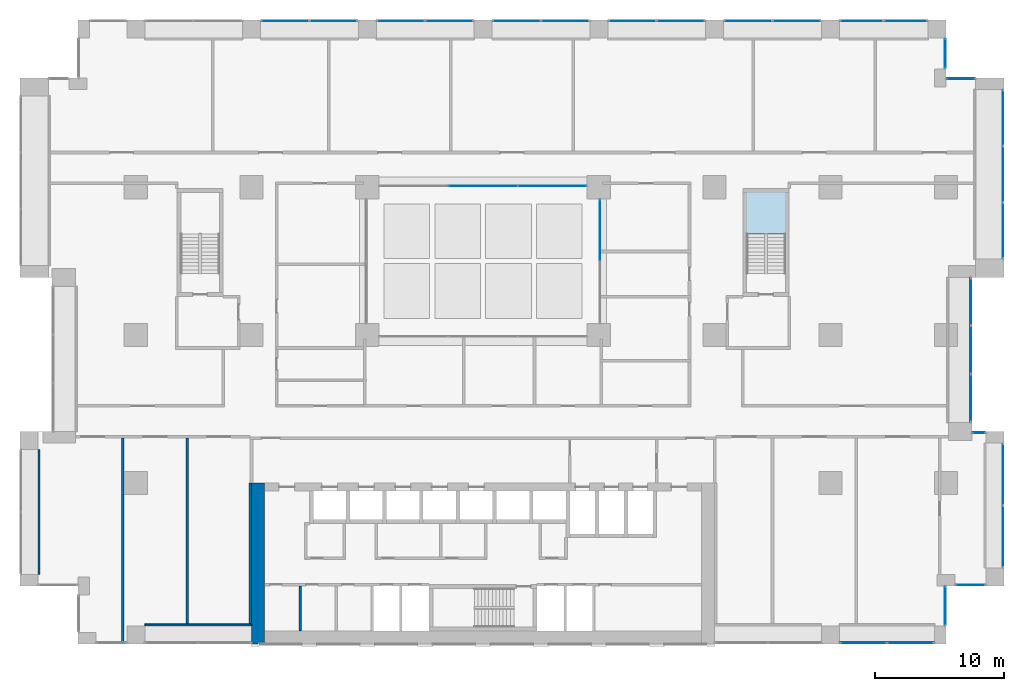
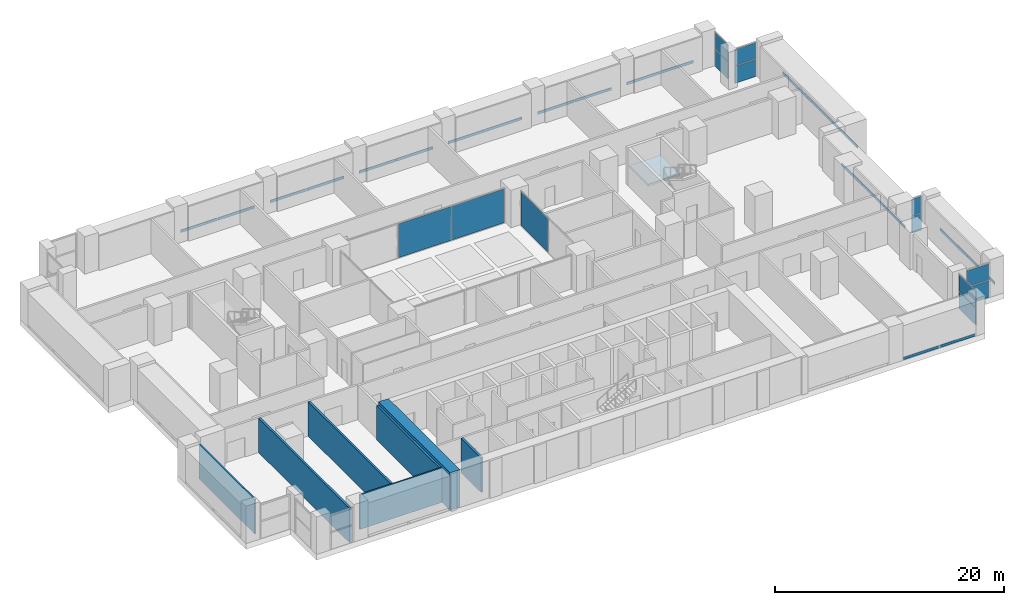
# One storey, part 19 of 24: 35 plates, 7 walls, 1 slab, 18 elements without a shape of their own.
"""IFC4 building model written with IfcOpenShell, lengths in metres."""

import ifcopenshell
import ifcopenshell.guid

model = None  # the IFC model being written
_history = None  # IfcOwnerHistory: only IFC2X3 demands one
_inside = {}  # id of a spatial element -> (the spatial element, [elements in it])
_under = {}  # id of a project, library or spatial element -> (it, [spatial elements below it])
_declared = {}  # id of a project -> (the project, [libraries it declares])
_typed = {}  # id of a type object -> (the type object, [elements of that type])
_made_of = {}  # id of a material, layer set ... -> (it, [elements and type objects made of it])


def new_model(schema):
    """Start an empty IFC model of exactly this schema.

    Asked for "IFC4X3", IfcOpenShell would pick the latest addendum, in which some entities
    have other attributes; the version numbers below select the first issue.
    IFC2X3 requires an IfcOwnerHistory on every rooted entity: one is made here for all.
    """
    global model, _history
    if schema == "IFC4X3":
        model = ifcopenshell.file(schema_version=(4, 3, 0, 0))
    else:
        model = ifcopenshell.file(schema=schema)
    _inside.clear()
    _under.clear()
    _declared.clear()
    _typed.clear()
    _made_of.clear()
    _history = None
    if model.schema == "IFC2X3":
        org = make("IfcOrganization", Name="unknown")
        user = make(
            "IfcPersonAndOrganization",
            ThePerson=make("IfcPerson", FamilyName="unknown"),
            TheOrganization=org,
        )
        app = make(
            "IfcApplication",
            ApplicationDeveloper=org,
            Version="unknown",
            ApplicationFullName="unknown",
            ApplicationIdentifier="unknown",
        )
        _history = make(
            "IfcOwnerHistory",
            OwningUser=user,
            OwningApplication=app,
            ChangeAction="ADDED",
            CreationDate=0,
        )
    return model


def make(cls, **values):
    """One entity of the class cls with the attributes given. An attribute that is None is left unset."""
    return model.create_entity(
        cls, **{name: value for name, value in values.items() if value is not None}
    )


def rooted(cls, **values):
    """An entity with a GlobalId (a new one), such as an element, a storey or a relation."""
    return make(cls, GlobalId=ifcopenshell.guid.new(), OwnerHistory=_history, **values)


def si_unit(unit_type, name, prefix=None):
    """IfcSIUnit, for example si_unit("LENGTHUNIT", "METRE", prefix="MILLI")."""
    return make("IfcSIUnit", UnitType=unit_type, Prefix=prefix, Name=name)


def assignment(units):
    """IfcUnitAssignment: the units of a project."""
    return None if units is None else make("IfcUnitAssignment", Units=units)


def point(xyz):
    """IfcCartesianPoint."""
    return None if xyz is None else make("IfcCartesianPoint", Coordinates=xyz)


def direction(xyz):
    """IfcDirection."""
    return None if xyz is None else make("IfcDirection", DirectionRatios=xyz)


def frame(location, z_axis=None, x_axis=None):
    """IfcAxis2Placement3D, a coordinate frame: its origin and axes. An axis left out is left unset."""
    return make(
        "IfcAxis2Placement3D",
        Location=point(location),
        Axis=direction(z_axis),
        RefDirection=direction(x_axis),
    )


def frame_2d(location, x_axis=None):
    """IfcAxis2Placement2D, a coordinate frame in the plane: its origin and x axis."""
    return make(
        "IfcAxis2Placement2D", Location=point(location), RefDirection=direction(x_axis)
    )


def origin():
    """The frame at (0, 0, 0) with its axes left unset."""
    return frame((0.0, 0.0, 0.0))


def origin_2d():
    """The frame at (0, 0) in the plane with its x axis left unset."""
    return frame_2d((0.0, 0.0))


def place(relative_to, where):
    """IfcLocalPlacement: puts the frame where relative to a parent placement (None: the world)."""
    return make(
        "IfcLocalPlacement", PlacementRelTo=relative_to, RelativePlacement=where
    )


def context(
    kind, dimensions, precision=None, world=None, true_north=None, identifier=None
):
    """IfcGeometricRepresentationContext, for example the 3D "Model" context."""
    return make(
        "IfcGeometricRepresentationContext",
        ContextIdentifier=identifier,
        ContextType=kind,
        CoordinateSpaceDimension=dimensions,
        Precision=precision,
        WorldCoordinateSystem=world,
        TrueNorth=true_north,
    )


def subcontext(parent, identifier, kind, view, scale=None):
    """IfcGeometricRepresentationSubContext, for example "Body" below "Model"."""
    return make(
        "IfcGeometricRepresentationSubContext",
        ContextIdentifier=identifier,
        ContextType=kind,
        ParentContext=parent,
        TargetScale=scale,
        TargetView=view,
    )


def project(units=None, contexts=None):
    """IfcProject with its units and contexts."""
    return rooted(
        "IfcProject",
        Name="project",
        RepresentationContexts=contexts,
        UnitsInContext=assignment(units),
    )


def spatial(cls, under=None, at=None, **own):
    """A site, building, storey or space (cls), placed at a placement, below another one or the project."""
    s = rooted(cls, ObjectPlacement=at, **own)
    if under is not None:
        _under.setdefault(under.id(), (under, []))[1].append(s)
    return s


def polyline(points):
    """IfcPolyline through the points."""
    return make("IfcPolyline", Points=[point(p) for p in points])


def profile(cls, at=None, kind="AREA", **sizes):
    """A parametric profile (cls). Its sizes go by their IFC names, for example OverallWidth=200.0."""
    return make(cls, ProfileType=kind, Position=at, **sizes)


def rectangle(**sizes):
    """IfcRectangleProfileDef."""
    return profile("IfcRectangleProfileDef", **sizes)


def outline(outer, holes=None, kind="AREA"):
    """IfcArbitraryClosedProfileDef: a profile drawn as a closed curve; with holes, ...WithVoids."""
    if holes is None:
        return make("IfcArbitraryClosedProfileDef", ProfileType=kind, OuterCurve=outer)
    return make(
        "IfcArbitraryProfileDefWithVoids",
        ProfileType=kind,
        OuterCurve=outer,
        InnerCurves=holes,
    )


def extrude(swept, where, along, depth):
    """IfcExtrudedAreaSolid: the profile swept, set in the frame where, extruded along a direction by depth."""
    return make(
        "IfcExtrudedAreaSolid",
        SweptArea=swept,
        Position=where,
        ExtrudedDirection=direction(along),
        Depth=depth,
    )


def shape(context_of_items, identifier, shape_type, items):
    """IfcShapeRepresentation: the items that make up one representation, for example the "Body"."""
    return make(
        "IfcShapeRepresentation",
        ContextOfItems=context_of_items,
        RepresentationIdentifier=identifier,
        RepresentationType=shape_type,
        Items=items,
    )


def material(Name=None, Category=None):
    """IfcMaterial."""
    return make("IfcMaterial", Name=Name, Category=Category)


def layer(
    of_material, thickness, ventilated=None, Name=None, Category=None, Priority=None
):
    """IfcMaterialLayer: one layer of a wall or slab, of a material (None: an air gap)."""
    return make(
        "IfcMaterialLayer",
        Material=of_material,
        LayerThickness=thickness,
        IsVentilated=ventilated,
        Name=Name,
        Category=Category,
        Priority=Priority,
    )


def layer_set(layers, Name=None):
    """IfcMaterialLayerSet."""
    return make("IfcMaterialLayerSet", MaterialLayers=layers, LayerSetName=Name)


def made_of(thing, what):
    """Note that an element or type object is made of a material, layer set ...; save() writes the relation."""
    if what is not None:
        _made_of.setdefault(what.id(), (what, []))[1].append(thing)
    return thing


def type_object(cls, material=None, **own):
    """A type object (cls), such as IfcWallType, which elements share."""
    return made_of(rooted(cls, **own), material)


def element(
    cls,
    number,
    at=None,
    inside=None,
    cuts=None,
    type_object=None,
    material=None,
    context=None,
    identifier="Body",
    shape_type=None,
    held_by="IfcProductDefinitionShape",
    body=None,
    shapes=None,
    **own,
):
    """One element of the class cls, such as IfcWall. Its Tag is "e" and its number.

    at: its placement. inside: the storey or other place that contains it. cuts: it is an
    opening in that element (IfcRelVoidsElement). A single representation is given by context,
    identifier, shape_type and body (its items); several are given by shapes. held_by: the class
    of the entity that holds the representations. save() writes the other relations.
    """
    e = rooted(cls, Tag="e%d" % number, ObjectPlacement=at, **own)
    if body is not None:
        shapes = [shape(context, identifier, shape_type, body)]
    if shapes is not None:
        e.Representation = make(held_by, Representations=shapes)
    if inside is not None:
        _inside.setdefault(inside.id(), (inside, []))[1].append(e)
    if cuts is not None:
        rooted(
            "IfcRelVoidsElement", RelatingBuildingElement=cuts, RelatedOpeningElement=e
        )
    if type_object is not None:
        _typed.setdefault(type_object.id(), (type_object, []))[1].append(e)
    return made_of(e, material)


def aggregate(whole, parts):
    """IfcRelAggregates: a whole, such as a stair, and the parts it consists of."""
    return rooted("IfcRelAggregates", RelatingObject=whole, RelatedObjects=parts)


def save(model, path):
    """Write the relations noted so far, then the file.

    IfcRelAggregates (storeys below a building ...), IfcRelContainedInSpatialStructure (elements
    in a storey), IfcRelDefinesByType, IfcRelAssociatesMaterial and IfcRelDeclares: one each for
    every whole, place, type object, material and project.
    """
    for whole, parts in _under.values():
        aggregate(whole, parts)
    for where, things in _inside.values():
        rooted(
            "IfcRelContainedInSpatialStructure",
            RelatedElements=things,
            RelatingStructure=where,
        )
    for kind, things in _typed.values():
        rooted("IfcRelDefinesByType", RelatedObjects=things, RelatingType=kind)
    for what, things in _made_of.values():
        rooted("IfcRelAssociatesMaterial", RelatedObjects=things, RelatingMaterial=what)
    for by, libraries in _declared.values():
        rooted("IfcRelDeclares", RelatingContext=by, RelatedDefinitions=libraries)
    model.write(path)


model = new_model("IFC4")

# Units and contexts
model_context = context("Model", 3, precision=1e-05, world=origin(), true_north=direction((0.0, 1.0)))
body_context = subcontext(model_context, "Body", "Model", "MODEL_VIEW")
ifc_project = project(units=[si_unit("LENGTHUNIT", "METRE"), si_unit("AREAUNIT", "SQUARE_METRE"), si_unit("VOLUMEUNIT", "CUBIC_METRE"), si_unit("PLANEANGLEUNIT", "RADIAN"), si_unit("MASSUNIT", "GRAM", prefix="KILO")], contexts=[model_context])

# Site, building, storey
site_placement = place(None, origin())
site = spatial("IfcSite", under=ifc_project, at=site_placement, CompositionType="ELEMENT")
building_placement = place(site_placement, origin())
building = spatial("IfcBuilding", under=site, at=building_placement, Name="Brigalow Station Residences", CompositionType="ELEMENT")
storey_placement = place(building_placement, frame((0.0, 0.0, 15.5)))
storey = spatial("IfcBuildingStorey", under=building, at=storey_placement, Name="L03", CompositionType="ELEMENT", Elevation=15.5)

# Curtain wall, plate
ifc_material_1 = material(Name="Aluminium", Category="aluminium")
ifc_layer_1 = layer(ifc_material_1, 0.14990234375)
ifc_layer_set_1 = layer_set([ifc_layer_1], Name="ATRIUM FIRE-RATED GLAZING CURTAIN WALL")
curtain_wall_type_1 = type_object("IfcCurtainWallType", Name="ATRIUM FIRE-RATED GLAZING CURTAIN WALL", PredefinedType="NOTDEFINED", material=ifc_layer_set_1)
curtain_wall_1_placement = place(storey_placement, origin())
curtain_wall_1 = element("IfcCurtainWall", 1, at=curtain_wall_1_placement, inside=storey, type_object=curtain_wall_type_1, Name="L03/cw/atrium-E", PredefinedType="NOTDEFINED")
ifc_material_2 = material(Name="Fire-resisting laminated glazing, FRL -/60/-", Category="glass")
ifc_layer_2 = layer(ifc_material_2, 0.031982421875)
ifc_layer_set_2 = layer_set([ifc_layer_2], Name="ATRIUM FIRE-RATED GLAZING PANEL 32")
plate_type_1 = type_object("IfcPlateType", Name="ATRIUM FIRE-RATED GLAZING PANEL 32", PredefinedType="CURTAIN_PANEL", material=ifc_layer_set_2)
plate_1_placement = place(storey_placement, frame((45.10009765625, 32.159912109375, 0.0), z_axis=(0.0, 0.0, 1.0), x_axis=(0.0, 1.0, 0.0)))
plate_1 = element("IfcPlate", 2, at=plate_1_placement, type_object=plate_type_1, Name="L03/cw/atrium-E/P01-00", PredefinedType="CURTAIN_PANEL", context=body_context, shape_type="SweptSolid", body=[
    extrude(rectangle(XDim=4.760009765625, YDim=0.031982421875, at=origin_2d()), origin(), (0.0, 0.0, 1.0), 3.6201171875),
])
aggregate(curtain_wall_1, [plate_1])

# Curtain wall, plates
curtain_wall_2_placement = place(storey_placement, origin())
curtain_wall_2 = element("IfcCurtainWall", 3, at=curtain_wall_2_placement, inside=storey, type_object=curtain_wall_type_1, Name="L03/cw/atrium-N", PredefinedType="NOTDEFINED")
plate_2_placement = place(storey_placement, frame((41.385009765625, 35.60009765625, 0.0), z_axis=(0.0, 0.0, 1.0), x_axis=(-1.0, 0.0, 0.0)))
plate_2 = element("IfcPlate", 4, at=plate_2_placement, type_object=plate_type_1, Name="L03/cw/atrium-N/P00-00", PredefinedType="CURTAIN_PANEL", context=body_context, shape_type="SweptSolid", body=[
    extrude(rectangle(XDim=5.31005859375, YDim=0.031982421875, at=origin_2d()), origin(), (0.0, 0.0, 1.0), 3.6201171875),
])
plate_3_placement = place(storey_placement, frame((36.0, 35.60009765625, 0.0), z_axis=(0.0, 0.0, 1.0), x_axis=(-1.0, 0.0, 0.0)))
plate_3 = element("IfcPlate", 5, at=plate_3_placement, type_object=plate_type_1, Name="L03/cw/atrium-N/P01-00", PredefinedType="CURTAIN_PANEL", context=body_context, shape_type="SweptSolid", body=[
    extrude(rectangle(XDim=5.340087890625, YDim=0.031982421875, at=origin_2d()), origin(), (0.0, 0.0, 1.0), 3.6201171875),
])
aggregate(curtain_wall_2, [plate_2, plate_3])

ifc_material_3 = material(Name="Aluminium", Category="aluminium")
ifc_layer_3 = layer(ifc_material_3, 0.199951171875)
ifc_layer_set_3 = layer_set([ifc_layer_3], Name="REFUGE FLOOR LOUVRE CURTAIN WALL")
curtain_wall_type_2 = type_object("IfcCurtainWallType", Name="REFUGE FLOOR LOUVRE CURTAIN WALL", PredefinedType="NOTDEFINED", material=ifc_layer_set_3)
curtain_wall_3_placement = place(storey_placement, origin())
curtain_wall_3 = element("IfcCurtainWall", 6, at=curtain_wall_3_placement, inside=storey, type_object=curtain_wall_type_2, Name="L03/cw/louvre-W-L03-9-2", PredefinedType="NOTDEFINED")
ifc_material_4 = material(Name="Aluminium louvre blade", Category="aluminium")
ifc_layer_4 = layer(ifc_material_4, 0.070068359375)
ifc_layer_set_4 = layer_set([ifc_layer_4], Name="REFUGE FLOOR LOUVRE PANEL 70")
plate_type_2 = type_object("IfcPlateType", Name="REFUGE FLOOR LOUVRE PANEL 70", PredefinedType="CURTAIN_PANEL", material=ifc_layer_set_4)
plate_4_placement = place(storey_placement, frame((71.925048828125, 2.949951171875, 0.0), z_axis=(0.0, 0.0, 1.0), x_axis=(0.0, 1.0, 0.0)))
plate_4 = element("IfcPlate", 7, at=plate_4_placement, type_object=plate_type_2, Name="L03/cw/louvre-W-L03-9-2/P00-00", PredefinedType="CURTAIN_PANEL", context=body_context, shape_type="SweptSolid", body=[
    extrude(rectangle(XDim=2.93994140625, YDim=0.070068359375, at=origin_2d()), origin(), (0.0, 0.0, 1.0), 1.800048828125),
])
plate_5_placement = place(storey_placement, frame((71.925048828125, 2.949951171875, 1.8798828125), z_axis=(0.0, 0.0, 1.0), x_axis=(0.0, 1.0, 0.0)))
plate_5 = element("IfcPlate", 8, at=plate_5_placement, type_object=plate_type_2, Name="L03/cw/louvre-W-L03-9-2/P00-01", PredefinedType="CURTAIN_PANEL", context=body_context, shape_type="SweptSolid", body=[
    extrude(rectangle(XDim=2.93994140625, YDim=0.070068359375, at=origin_2d()), origin(), (0.0, 0.0, 1.0), 1.719970703125),
])
aggregate(curtain_wall_3, [plate_4, plate_5])

curtain_wall_4_placement = place(storey_placement, origin())
curtain_wall_4 = element("IfcCurtainWall", 9, at=curtain_wall_4_placement, inside=storey, type_object=curtain_wall_type_2, Name="L03/cw/louvre-W-L03-10-3", PredefinedType="NOTDEFINED")
plate_6_placement = place(storey_placement, frame((73.89990234375, 4.574951171875, 0.0), z_axis=(0.0, 0.0, 1.0), x_axis=(1.0, 0.0, 0.0)))
plate_6 = element("IfcPlate", 10, at=plate_6_placement, type_object=plate_type_2, Name="L03/cw/louvre-W-L03-10-3/P00-00", PredefinedType="CURTAIN_PANEL", context=body_context, shape_type="SweptSolid", body=[
    extrude(rectangle(XDim=2.239990234375, YDim=0.070068359375, at=origin_2d()), origin(), (0.0, 0.0, 1.0), 1.800048828125),
])
plate_7_placement = place(storey_placement, frame((73.89990234375, 4.574951171875, 1.8798828125), z_axis=(0.0, 0.0, 1.0), x_axis=(1.0, 0.0, 0.0)))
plate_7 = element("IfcPlate", 11, at=plate_7_placement, type_object=plate_type_2, Name="L03/cw/louvre-W-L03-10-3/P00-01", PredefinedType="CURTAIN_PANEL", context=body_context, shape_type="SweptSolid", body=[
    extrude(rectangle(XDim=2.239990234375, YDim=0.070068359375, at=origin_2d()), origin(), (0.0, 0.0, 1.0), 1.719970703125),
])
aggregate(curtain_wall_4, [plate_6, plate_7])

curtain_wall_5_placement = place(storey_placement, origin())
curtain_wall_5 = element("IfcCurtainWall", 12, at=curtain_wall_5_placement, inside=storey, type_object=curtain_wall_type_2, Name="L03/cw/louvre-W-L03-14-4", PredefinedType="NOTDEFINED")
plate_8_placement = place(storey_placement, frame((74.550048828125, 16.425048828125, 0.0), z_axis=(0.0, 0.0, 1.0), x_axis=(-1.0, 0.0, 0.0)))
plate_8 = element("IfcPlate", 13, at=plate_8_placement, type_object=plate_type_2, Name="L03/cw/louvre-W-L03-14-4/P00-00", PredefinedType="CURTAIN_PANEL", context=body_context, shape_type="SweptSolid", body=[
    extrude(rectangle(XDim=0.93994140625, YDim=0.070068359375, at=origin_2d()), origin(), (0.0, 0.0, 1.0), 1.800048828125),
])
plate_9_placement = place(storey_placement, frame((74.550048828125, 16.425048828125, 1.8798828125), z_axis=(0.0, 0.0, 1.0), x_axis=(-1.0, 0.0, 0.0)))
plate_9 = element("IfcPlate", 14, at=plate_9_placement, type_object=plate_type_2, Name="L03/cw/louvre-W-L03-14-4/P00-01", PredefinedType="CURTAIN_PANEL", context=body_context, shape_type="SweptSolid", body=[
    extrude(rectangle(XDim=0.93994140625, YDim=0.070068359375, at=origin_2d()), origin(), (0.0, 0.0, 1.0), 1.719970703125),
])
aggregate(curtain_wall_5, [plate_8, plate_9])

curtain_wall_6_placement = place(storey_placement, origin())
curtain_wall_6 = element("IfcCurtainWall", 15, at=curtain_wall_6_placement, inside=storey, type_object=curtain_wall_type_2, Name="L03/cw/louvre-W-L03-23-5", PredefinedType="NOTDEFINED")
plate_10_placement = place(storey_placement, frame((73.14990234375, 43.925048828125, 0.0), z_axis=(0.0, 0.0, 1.0), x_axis=(-1.0, 0.0, 0.0)))
plate_10 = element("IfcPlate", 16, at=plate_10_placement, type_object=plate_type_2, Name="L03/cw/louvre-W-L03-23-5/P00-00", PredefinedType="CURTAIN_PANEL", context=body_context, shape_type="SweptSolid", body=[
    extrude(rectangle(XDim=2.139892578125, YDim=0.070068359375, at=origin_2d()), origin(), (0.0, 0.0, 1.0), 1.800048828125),
])
plate_11_placement = place(storey_placement, frame((73.14990234375, 43.925048828125, 1.8798828125), z_axis=(0.0, 0.0, 1.0), x_axis=(-1.0, 0.0, 0.0)))
plate_11 = element("IfcPlate", 17, at=plate_11_placement, type_object=plate_type_2, Name="L03/cw/louvre-W-L03-23-5/P00-01", PredefinedType="CURTAIN_PANEL", context=body_context, shape_type="SweptSolid", body=[
    extrude(rectangle(XDim=2.139892578125, YDim=0.070068359375, at=origin_2d()), origin(), (0.0, 0.0, 1.0), 1.719970703125),
])
aggregate(curtain_wall_6, [plate_10, plate_11])

curtain_wall_7_placement = place(storey_placement, origin())
curtain_wall_7 = element("IfcCurtainWall", 18, at=curtain_wall_7_placement, inside=storey, type_object=curtain_wall_type_2, Name="L03/cw/louvre-W-L03-24-6", PredefinedType="NOTDEFINED")
plate_12_placement = place(storey_placement, frame((71.925048828125, 45.89990234375, 0.0), z_axis=(0.0, 0.0, 1.0), x_axis=(0.0, 1.0, 0.0)))
plate_12 = element("IfcPlate", 19, at=plate_12_placement, type_object=plate_type_2, Name="L03/cw/louvre-W-L03-24-6/P00-00", PredefinedType="CURTAIN_PANEL", context=body_context, shape_type="SweptSolid", body=[
    extrude(rectangle(XDim=2.239990234375, YDim=0.070068359375, at=origin_2d()), origin(), (0.0, 0.0, 1.0), 1.800048828125),
])
plate_13_placement = place(storey_placement, frame((71.925048828125, 45.89990234375, 1.8798828125), z_axis=(0.0, 0.0, 1.0), x_axis=(0.0, 1.0, 0.0)))
plate_13 = element("IfcPlate", 20, at=plate_13_placement, type_object=plate_type_2, Name="L03/cw/louvre-W-L03-24-6/P00-01", PredefinedType="CURTAIN_PANEL", context=body_context, shape_type="SweptSolid", body=[
    extrude(rectangle(XDim=2.239990234375, YDim=0.070068359375, at=origin_2d()), origin(), (0.0, 0.0, 1.0), 1.719970703125),
])
aggregate(curtain_wall_7, [plate_12, plate_13])

curtain_wall_8_placement = place(storey_placement, origin())
curtain_wall_8 = element("IfcCurtainWall", 21, at=curtain_wall_8_placement, inside=storey, type_object=curtain_wall_type_2, Name="L03/cw/louvre-slot-W-L03-5-3", PredefinedType="NOTDEFINED")
plate_14_placement = place(storey_placement, frame((65.570068359375, 0.074951171875, 0.0), z_axis=(0.0, 0.0, 1.0), x_axis=(1.0, 0.0, 0.0)))
plate_14 = element("IfcPlate", 22, at=plate_14_placement, type_object=plate_type_2, Name="L03/cw/louvre-slot-W-L03-5-3/P00-00", PredefinedType="CURTAIN_PANEL", context=body_context, shape_type="SweptSolid", body=[
    extrude(rectangle(XDim=3.580078125, YDim=0.070068359375, at=origin_2d()), origin(), (0.0, 0.0, 1.0), 0.280029296875),
])
plate_15_placement = place(storey_placement, frame((69.22998046875, 0.074951171875, 0.0), z_axis=(0.0, 0.0, 1.0), x_axis=(1.0, 0.0, 0.0)))
plate_15 = element("IfcPlate", 23, at=plate_15_placement, type_object=plate_type_2, Name="L03/cw/louvre-slot-W-L03-5-3/P01-00", PredefinedType="CURTAIN_PANEL", context=body_context, shape_type="SweptSolid", body=[
    extrude(rectangle(XDim=3.580078125, YDim=0.070068359375, at=origin_2d()), origin(), (0.0, 0.0, 1.0), 0.280029296875),
])
aggregate(curtain_wall_8, [plate_14, plate_15])

curtain_wall_9_placement = place(storey_placement, origin())
curtain_wall_9 = element("IfcCurtainWall", 24, at=curtain_wall_9_placement, inside=storey, type_object=curtain_wall_type_2, Name="L03/cw/louvre-slot-W-L03-11-4", PredefinedType="NOTDEFINED")
plate_16_placement = place(storey_placement, frame((76.425048828125, 8.344970703125, 0.0), z_axis=(0.0, 0.0, 1.0), x_axis=(0.0, 1.0, 0.0)))
plate_16 = element("IfcPlate", 25, at=plate_16_placement, type_object=plate_type_2, Name="L03/cw/louvre-slot-W-L03-11-4/P00-00", PredefinedType="CURTAIN_PANEL", context=body_context, shape_type="SweptSolid", body=[
    extrude(rectangle(XDim=4.72998046875, YDim=0.070068359375, at=origin_2d()), origin(), (0.0, 0.0, 1.0), 0.280029296875),
])
plate_17_placement = place(storey_placement, frame((76.425048828125, 13.155029296875, 0.0), z_axis=(0.0, 0.0, 1.0), x_axis=(0.0, 1.0, 0.0)))
plate_17 = element("IfcPlate", 26, at=plate_17_placement, type_object=plate_type_2, Name="L03/cw/louvre-slot-W-L03-11-4/P01-00", PredefinedType="CURTAIN_PANEL", context=body_context, shape_type="SweptSolid", body=[
    extrude(rectangle(XDim=4.72998046875, YDim=0.070068359375, at=origin_2d()), origin(), (0.0, 0.0, 1.0), 0.280029296875),
])
aggregate(curtain_wall_9, [plate_16, plate_17])

curtain_wall_10_placement = place(storey_placement, origin())
curtain_wall_10 = element("IfcCurtainWall", 27, at=curtain_wall_10_placement, inside=storey, type_object=curtain_wall_type_2, Name="L03/cw/louvre-slot-W-L03-15-5", PredefinedType="NOTDEFINED")
plate_18_placement = place(storey_placement, frame((73.925048828125, 19.103271484375, 0.0), z_axis=(0.0, 0.0, 1.0), x_axis=(0.0, 1.0, 0.0)))
plate_18 = element("IfcPlate", 28, at=plate_18_placement, type_object=plate_type_2, Name="L03/cw/louvre-slot-W-L03-15-5/P00-00", PredefinedType="CURTAIN_PANEL", context=body_context, shape_type="SweptSolid", body=[
    extrude(rectangle(XDim=3.646728515625, YDim=0.070068359375, at=origin_2d()), origin(), (0.0, 0.0, 1.0), 0.280029296875),
])
plate_19_placement = place(storey_placement, frame((73.925048828125, 22.85009765625, 0.0), z_axis=(0.0, 0.0, 1.0), x_axis=(0.0, 1.0, 0.0)))
plate_19 = element("IfcPlate", 29, at=plate_19_placement, type_object=plate_type_2, Name="L03/cw/louvre-slot-W-L03-15-5/P01-00", PredefinedType="CURTAIN_PANEL", context=body_context, shape_type="SweptSolid", body=[
    extrude(rectangle(XDim=3.686767578125, YDim=0.070068359375, at=origin_2d()), origin(), (0.0, 0.0, 1.0), 0.280029296875),
])
plate_20_placement = place(storey_placement, frame((73.925048828125, 26.5966796875, 0.0), z_axis=(0.0, 0.0, 1.0), x_axis=(0.0, 1.0, 0.0)))
plate_20 = element("IfcPlate", 30, at=plate_20_placement, type_object=plate_type_2, Name="L03/cw/louvre-slot-W-L03-15-5/P02-00", PredefinedType="CURTAIN_PANEL", context=body_context, shape_type="SweptSolid", body=[
    extrude(rectangle(XDim=3.646728515625, YDim=0.070068359375, at=origin_2d()), origin(), (0.0, 0.0, 1.0), 0.280029296875),
])
aggregate(curtain_wall_10, [plate_18, plate_19, plate_20])

curtain_wall_11_placement = place(storey_placement, origin())
curtain_wall_11 = element("IfcCurtainWall", 31, at=curtain_wall_11_placement, inside=storey, type_object=curtain_wall_type_2, Name="L03/cw/louvre-slot-W-L03-19-6", PredefinedType="NOTDEFINED")
plate_21_placement = place(storey_placement, frame((76.425048828125, 32.1201171875, 0.0), z_axis=(0.0, 0.0, 1.0), x_axis=(0.0, 1.0, 0.0)))
plate_21 = element("IfcPlate", 32, at=plate_21_placement, type_object=plate_type_2, Name="L03/cw/louvre-slot-W-L03-19-6/P00-00", PredefinedType="CURTAIN_PANEL", context=body_context, shape_type="SweptSolid", body=[
    extrude(rectangle(XDim=4.280029296875, YDim=0.070068359375, at=origin_2d()), origin(), (0.0, 0.0, 1.0), 0.280029296875),
])
plate_22_placement = place(storey_placement, frame((76.425048828125, 36.5, 0.0), z_axis=(0.0, 0.0, 1.0), x_axis=(0.0, 1.0, 0.0)))
plate_22 = element("IfcPlate", 33, at=plate_22_placement, type_object=plate_type_2, Name="L03/cw/louvre-slot-W-L03-19-6/P01-00", PredefinedType="CURTAIN_PANEL", context=body_context, shape_type="SweptSolid", body=[
    extrude(rectangle(XDim=4.320068359375, YDim=0.070068359375, at=origin_2d()), origin(), (0.0, 0.0, 1.0), 0.280029296875),
])
plate_23_placement = place(storey_placement, frame((76.425048828125, 40.8798828125, 0.0), z_axis=(0.0, 0.0, 1.0), x_axis=(0.0, 1.0, 0.0)))
plate_23 = element("IfcPlate", 34, at=plate_23_placement, type_object=plate_type_2, Name="L03/cw/louvre-slot-W-L03-19-6/P02-00", PredefinedType="CURTAIN_PANEL", context=body_context, shape_type="SweptSolid", body=[
    extrude(rectangle(XDim=4.280029296875, YDim=0.070068359375, at=origin_2d()), origin(), (0.0, 0.0, 1.0), 0.280029296875),
])
aggregate(curtain_wall_11, [plate_21, plate_22, plate_23])

curtain_wall_12_placement = place(storey_placement, origin())
curtain_wall_12 = element("IfcCurtainWall", 35, at=curtain_wall_12_placement, inside=storey, type_object=curtain_wall_type_2, Name="L03/cw/louvre-slot-W-L03-25-7", PredefinedType="NOTDEFINED")
plate_24_placement = place(storey_placement, frame((68.85498046875, 48.425048828125, 0.0), z_axis=(0.0, 0.0, 1.0), x_axis=(-1.0, 0.0, 0.0)))
plate_24 = element("IfcPlate", 36, at=plate_24_placement, type_object=plate_type_2, Name="L03/cw/louvre-slot-W-L03-25-7/P00-00", PredefinedType="CURTAIN_PANEL", context=body_context, shape_type="SweptSolid", body=[
    extrude(rectangle(XDim=3.330078125, YDim=0.070068359375, at=origin_2d()), origin(), (0.0, 0.0, 1.0), 0.280029296875),
])
plate_25_placement = place(storey_placement, frame((65.445068359375, 48.425048828125, 0.0), z_axis=(0.0, 0.0, 1.0), x_axis=(-1.0, 0.0, 0.0)))
plate_25 = element("IfcPlate", 37, at=plate_25_placement, type_object=plate_type_2, Name="L03/cw/louvre-slot-W-L03-25-7/P01-00", PredefinedType="CURTAIN_PANEL", context=body_context, shape_type="SweptSolid", body=[
    extrude(rectangle(XDim=3.330078125, YDim=0.070068359375, at=origin_2d()), origin(), (0.0, 0.0, 1.0), 0.280029296875),
])
aggregate(curtain_wall_12, [plate_24, plate_25])

curtain_wall_13_placement = place(storey_placement, origin())
curtain_wall_13 = element("IfcCurtainWall", 38, at=curtain_wall_13_placement, inside=storey, type_object=curtain_wall_type_2, Name="L03/cw/louvre-slot-W-L03-25-8", PredefinedType="NOTDEFINED")
plate_26_placement = place(storey_placement, frame((60.3798828125, 48.425048828125, 0.0), z_axis=(0.0, 0.0, 1.0), x_axis=(-1.0, 0.0, 0.0)))
plate_26 = element("IfcPlate", 39, at=plate_26_placement, type_object=plate_type_2, Name="L03/cw/louvre-slot-W-L03-25-8/P00-00", PredefinedType="CURTAIN_PANEL", context=body_context, shape_type="SweptSolid", body=[
    extrude(rectangle(XDim=3.679931640625, YDim=0.070068359375, at=origin_2d()), origin(), (0.0, 0.0, 1.0), 0.280029296875),
])
plate_27_placement = place(storey_placement, frame((56.6201171875, 48.425048828125, 0.0), z_axis=(0.0, 0.0, 1.0), x_axis=(-1.0, 0.0, 0.0)))
plate_27 = element("IfcPlate", 40, at=plate_27_placement, type_object=plate_type_2, Name="L03/cw/louvre-slot-W-L03-25-8/P01-00", PredefinedType="CURTAIN_PANEL", context=body_context, shape_type="SweptSolid", body=[
    extrude(rectangle(XDim=3.679931640625, YDim=0.070068359375, at=origin_2d()), origin(), (0.0, 0.0, 1.0), 0.280029296875),
])
aggregate(curtain_wall_13, [plate_26, plate_27])

curtain_wall_14_placement = place(storey_placement, origin())
curtain_wall_14 = element("IfcCurtainWall", 41, at=curtain_wall_14_placement, inside=storey, type_object=curtain_wall_type_2, Name="L03/cw/louvre-slot-W-L03-25-9", PredefinedType="NOTDEFINED")
plate_28_placement = place(storey_placement, frame((51.3798828125, 48.425048828125, 0.0), z_axis=(0.0, 0.0, 1.0), x_axis=(-1.0, 0.0, 0.0)))
plate_28 = element("IfcPlate", 42, at=plate_28_placement, type_object=plate_type_2, Name="L03/cw/louvre-slot-W-L03-25-9/P00-00", PredefinedType="CURTAIN_PANEL", context=body_context, shape_type="SweptSolid", body=[
    extrude(rectangle(XDim=3.679931640625, YDim=0.070068359375, at=origin_2d()), origin(), (0.0, 0.0, 1.0), 0.280029296875),
])
plate_29_placement = place(storey_placement, frame((47.6201171875, 48.425048828125, 0.0), z_axis=(0.0, 0.0, 1.0), x_axis=(-1.0, 0.0, 0.0)))
plate_29 = element("IfcPlate", 43, at=plate_29_placement, type_object=plate_type_2, Name="L03/cw/louvre-slot-W-L03-25-9/P01-00", PredefinedType="CURTAIN_PANEL", context=body_context, shape_type="SweptSolid", body=[
    extrude(rectangle(XDim=3.679931640625, YDim=0.070068359375, at=origin_2d()), origin(), (0.0, 0.0, 1.0), 0.280029296875),
])
aggregate(curtain_wall_14, [plate_28, plate_29])

curtain_wall_15_placement = place(storey_placement, origin())
curtain_wall_15 = element("IfcCurtainWall", 44, at=curtain_wall_15_placement, inside=storey, type_object=curtain_wall_type_2, Name="L03/cw/louvre-slot-W-L03-25-10", PredefinedType="NOTDEFINED")
plate_30_placement = place(storey_placement, frame((42.3798828125, 48.425048828125, 0.0), z_axis=(0.0, 0.0, 1.0), x_axis=(-1.0, 0.0, 0.0)))
plate_30 = element("IfcPlate", 45, at=plate_30_placement, type_object=plate_type_2, Name="L03/cw/louvre-slot-W-L03-25-10/P00-00", PredefinedType="CURTAIN_PANEL", context=body_context, shape_type="SweptSolid", body=[
    extrude(rectangle(XDim=3.679931640625, YDim=0.070068359375, at=origin_2d()), origin(), (0.0, 0.0, 1.0), 0.280029296875),
])
plate_31_placement = place(storey_placement, frame((38.6201171875, 48.425048828125, 0.0), z_axis=(0.0, 0.0, 1.0), x_axis=(-1.0, 0.0, 0.0)))
plate_31 = element("IfcPlate", 46, at=plate_31_placement, type_object=plate_type_2, Name="L03/cw/louvre-slot-W-L03-25-10/P01-00", PredefinedType="CURTAIN_PANEL", context=body_context, shape_type="SweptSolid", body=[
    extrude(rectangle(XDim=3.679931640625, YDim=0.070068359375, at=origin_2d()), origin(), (0.0, 0.0, 1.0), 0.280029296875),
])
aggregate(curtain_wall_15, [plate_30, plate_31])

curtain_wall_16_placement = place(storey_placement, origin())
curtain_wall_16 = element("IfcCurtainWall", 47, at=curtain_wall_16_placement, inside=storey, type_object=curtain_wall_type_2, Name="L03/cw/louvre-slot-W-L03-25-11", PredefinedType="NOTDEFINED")
plate_32_placement = place(storey_placement, frame((33.3798828125, 48.425048828125, 0.0), z_axis=(0.0, 0.0, 1.0), x_axis=(-1.0, 0.0, 0.0)))
plate_32 = element("IfcPlate", 48, at=plate_32_placement, type_object=plate_type_2, Name="L03/cw/louvre-slot-W-L03-25-11/P00-00", PredefinedType="CURTAIN_PANEL", context=body_context, shape_type="SweptSolid", body=[
    extrude(rectangle(XDim=3.679931640625, YDim=0.070068359375, at=origin_2d()), origin(), (0.0, 0.0, 1.0), 0.280029296875),
])
plate_33_placement = place(storey_placement, frame((29.6201171875, 48.425048828125, 0.0), z_axis=(0.0, 0.0, 1.0), x_axis=(-1.0, 0.0, 0.0)))
plate_33 = element("IfcPlate", 49, at=plate_33_placement, type_object=plate_type_2, Name="L03/cw/louvre-slot-W-L03-25-11/P01-00", PredefinedType="CURTAIN_PANEL", context=body_context, shape_type="SweptSolid", body=[
    extrude(rectangle(XDim=3.679931640625, YDim=0.070068359375, at=origin_2d()), origin(), (0.0, 0.0, 1.0), 0.280029296875),
])
aggregate(curtain_wall_16, [plate_32, plate_33])

curtain_wall_17_placement = place(storey_placement, origin())
curtain_wall_17 = element("IfcCurtainWall", 50, at=curtain_wall_17_placement, inside=storey, type_object=curtain_wall_type_2, Name="L03/cw/louvre-slot-W-L03-25-12", PredefinedType="NOTDEFINED")
plate_34_placement = place(storey_placement, frame((24.3798828125, 48.425048828125, 0.0), z_axis=(0.0, 0.0, 1.0), x_axis=(-1.0, 0.0, 0.0)))
plate_34 = element("IfcPlate", 51, at=plate_34_placement, type_object=plate_type_2, Name="L03/cw/louvre-slot-W-L03-25-12/P00-00", PredefinedType="CURTAIN_PANEL", context=body_context, shape_type="SweptSolid", body=[
    extrude(rectangle(XDim=3.679931640625, YDim=0.070068359375, at=origin_2d()), origin(), (0.0, 0.0, 1.0), 0.280029296875),
])
plate_35_placement = place(storey_placement, frame((20.6201171875, 48.425048828125, 0.0), z_axis=(0.0, 0.0, 1.0), x_axis=(-1.0, 0.0, 0.0)))
plate_35 = element("IfcPlate", 52, at=plate_35_placement, type_object=plate_type_2, Name="L03/cw/louvre-slot-W-L03-25-12/P01-00", PredefinedType="CURTAIN_PANEL", context=body_context, shape_type="SweptSolid", body=[
    extrude(rectangle(XDim=3.679931640625, YDim=0.070068359375, at=origin_2d()), origin(), (0.0, 0.0, 1.0), 0.280029296875),
])
aggregate(curtain_wall_17, [plate_34, plate_35])

# Stair, slab
ifc_material_5 = material(Name="Concrete C50", Category="concrete")
stair_type = type_object("IfcStairType", Name="EXIT STAIR 1400 2 FLIGHT", PredefinedType="HALF_TURN_STAIR", material=ifc_material_5)
stair_placement = place(storey_placement, origin())
stair = element("IfcStair", 53, at=stair_placement, inside=storey, type_object=stair_type, Name="EXIT STAIR S3 L03", PredefinedType="HALF_TURN_STAIR")
ifc_material_6 = material(Name="Concrete C50", Category="concrete")
ifc_layer_5 = layer(ifc_material_6, 0.199951171875)
ifc_layer_set_5 = layer_set([ifc_layer_5], Name="STAIR LANDING 200")
slab_type = type_object("IfcSlabType", Name="STAIR LANDING 200", PredefinedType="LANDING", material=ifc_layer_set_5)
slab_placement = place(storey_placement, frame((0.0, 0.0, 1.800048828125)))
slab = element("IfcSlab", 54, at=slab_placement, type_object=slab_type, Name="ST-3 landing 1", PredefinedType="LANDING", context=body_context, shape_type="SweptSolid", body=[
    extrude(outline(polyline([(56.39990234375, 31.8798828125), (59.60009765625, 31.8798828125), (59.60009765625, 35.199951171875), (56.39990234375, 35.199951171875), (56.39990234375, 31.8798828125)])), origin(), (0.0, 0.0, 1.0), 0.199951171875),
])
aggregate(stair, [slab])

# Walls
ifc_material_7 = material(Name="Concrete C80", Category="concrete")
ifc_layer_6 = layer(ifc_material_7, 1.0)
ifc_layer_set_6 = layer_set([ifc_layer_6], Name="CORE SHEAR WALL 1000 C80")
wall_type_1 = type_object("IfcWallType", Name="CORE SHEAR WALL 1000 C80", PredefinedType="SHEAR", material=ifc_layer_set_6)
wall_1_placement = place(storey_placement, frame((18.5, 0.0, 0.0), z_axis=(0.0, 0.0, 1.0), x_axis=(0.0, 1.0, 0.0)))
element("IfcWall", 55, at=wall_1_placement, inside=storey, type_object=wall_type_1, Name="CORE WALL OUT-W L03", PredefinedType="SHEAR", context=body_context, shape_type="SweptSolid", body=[
    extrude(rectangle(XDim=12.5, YDim=1.0, at=frame_2d((6.25, 0.0))), origin(), (0.0, 0.0, 1.0), 4.0),
])
ifc_material_8 = material(Name="Concrete blockwork", Category="masonry")
ifc_layer_7 = layer(ifc_material_8, 0.199951171875)
ifc_layer_set_7 = layer_set([ifc_layer_7], Name="FIRE RATED CORE PARTITION 200")
wall_type_2 = type_object("IfcWallType", Name="FIRE RATED CORE PARTITION 200", PredefinedType="PARTITIONING", material=ifc_layer_set_7)
wall_2_placement = place(storey_placement, frame((21.800048828125, 1.0, 0.0), z_axis=(0.0, 0.0, 1.0), x_axis=(0.0, 1.0, 0.0)))
element("IfcWall", 56, at=wall_2_placement, inside=storey, type_object=wall_type_2, Name="PW-5057", PredefinedType="PARTITIONING", context=body_context, shape_type="SweptSolid", body=[
    extrude(rectangle(XDim=3.5, YDim=0.199951171875, at=frame_2d((1.75, 0.0))), origin(), (0.0, 0.0, 1.0), 3.679931640625),
])
wall_3_placement = place(storey_placement, frame((8.0, 0.090087890625, 0.0), z_axis=(0.0, 0.0, 1.0), x_axis=(0.0, 1.0, 0.0)))
element("IfcWall", 57, at=wall_3_placement, inside=storey, type_object=wall_type_2, Name="PW-5081", PredefinedType="PARTITIONING", context=body_context, shape_type="SweptSolid", body=[
    extrude(rectangle(XDim=15.909912109375, YDim=0.199951171875, at=frame_2d((7.955078125, 0.0))), origin(), (0.0, 0.0, 1.0), 3.679931640625),
])
wall_4_placement = place(storey_placement, frame((13.0, 1.550048828125, 0.0), z_axis=(0.0, 0.0, 1.0), x_axis=(0.0, 1.0, 0.0)))
element("IfcWall", 58, at=wall_4_placement, inside=storey, type_object=wall_type_2, Name="PW-5082", PredefinedType="PARTITIONING", context=body_context, shape_type="SweptSolid", body=[
    extrude(rectangle(XDim=14.449951171875, YDim=0.199951171875, at=frame_2d((7.22509765625, 0.0))), origin(), (0.0, 0.0, 1.0), 3.679931640625),
])
wall_5_placement = place(storey_placement, frame((17.89990234375, 1.550048828125, 0.0), z_axis=(0.0, 0.0, 1.0), x_axis=(0.0, 1.0, 0.0)))
element("IfcWall", 59, at=wall_5_placement, inside=storey, type_object=wall_type_2, Name="PW-5083", PredefinedType="PARTITIONING", context=body_context, shape_type="SweptSolid", body=[
    extrude(rectangle(XDim=10.949951171875, YDim=0.199951171875, at=frame_2d((5.47509765625, 0.0))), origin(), (0.0, 0.0, 1.0), 3.679931640625),
])
ifc_material_9 = material(Name="Plasterboard on steel studs", Category="steel")
ifc_layer_8 = layer(ifc_material_9, 0.14990234375)
ifc_layer_set_8 = layer_set([ifc_layer_8], Name="SERVICE ROOM PARTITION 150")
wall_type_3 = type_object("IfcWallType", Name="SERVICE ROOM PARTITION 150", PredefinedType="PARTITIONING", material=ifc_layer_set_8)
wall_6_placement = place(storey_placement, frame((9.699951171875, 1.47509765625, 0.0), z_axis=(0.0, 0.0, 1.0), x_axis=(1.0, 0.0, 0.0)))
element("IfcWall", 60, at=wall_6_placement, inside=storey, type_object=wall_type_3, Name="PW-5110", PredefinedType="PARTITIONING", context=body_context, shape_type="SweptSolid", body=[
    extrude(rectangle(XDim=8.300048828125, YDim=0.14990234375, at=frame_2d((4.14990234375, 0.0))), origin(), (0.0, 0.0, 1.0), 3.679931640625),
])
wall_7_placement = place(storey_placement, frame((1.47509765625, 5.39990234375, 0.0), z_axis=(0.0, 0.0, 1.0), x_axis=(0.0, 1.0, 0.0)))
element("IfcWall", 61, at=wall_7_placement, inside=storey, type_object=wall_type_3, Name="PW-5125", PredefinedType="PARTITIONING", context=body_context, shape_type="SweptSolid", body=[
    extrude(rectangle(XDim=9.7001953125, YDim=0.14990234375, at=frame_2d((4.85009765625, 0.0))), origin(), (0.0, 0.0, 1.0), 3.679931640625),
])

save(model, "model.ifc")
